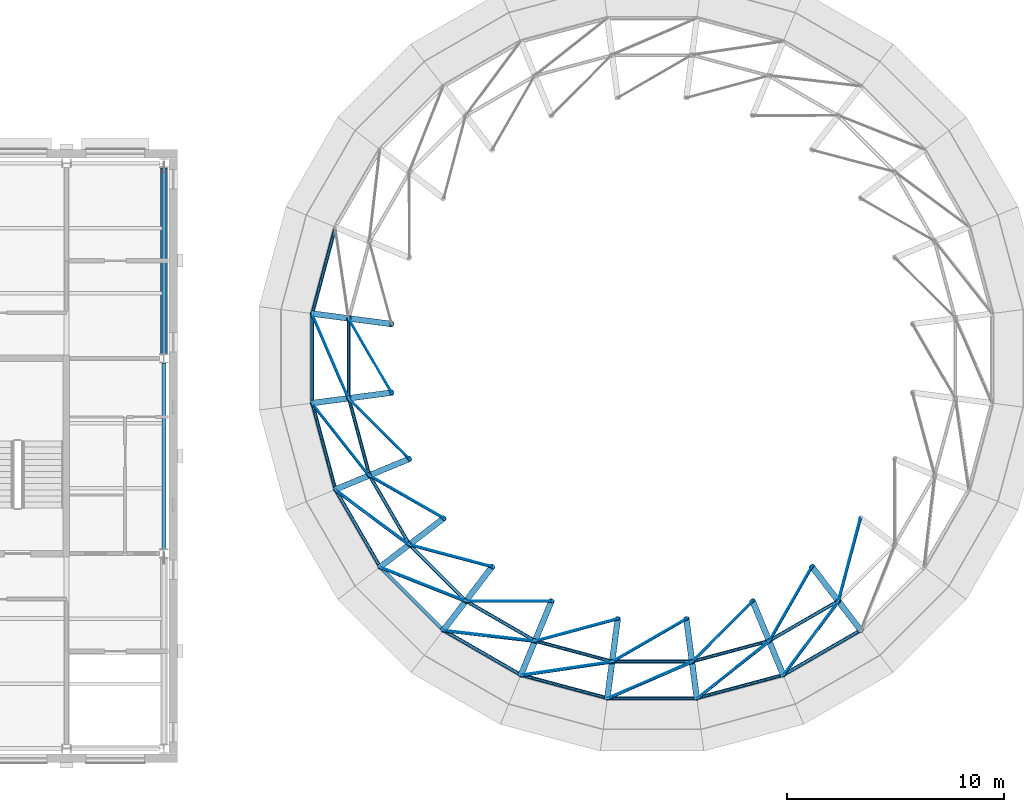
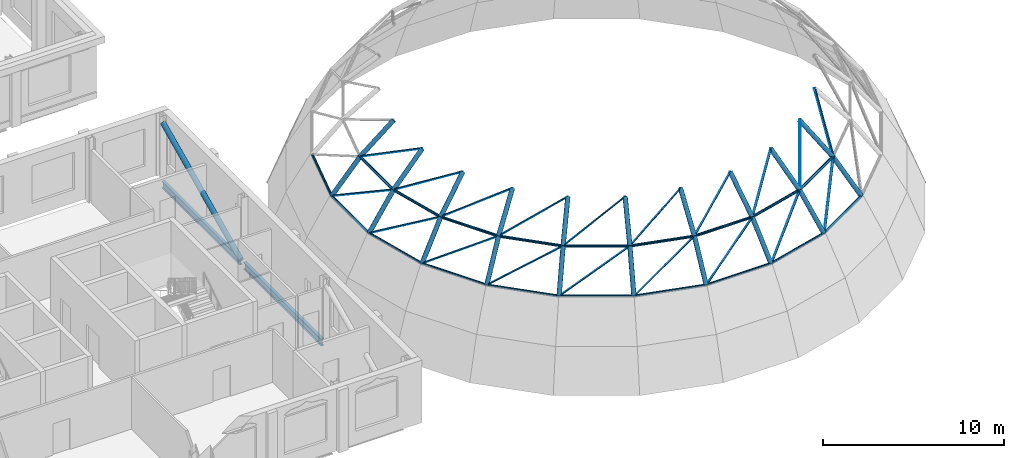
# One storey, part 6 of 62: 58 members, 22 beams.
"""IFC4 building model written with IfcOpenShell, lengths in metres."""

from ifc_helpers import new_model, si_unit, direction, frame, origin, origin_2d, place, context, subcontext, project, spatial, rectangle, circle, hollow_circle, i_section, extrude, material, material_profile, profile_set, type_object, element, save


model = new_model("IFC4")

# Units and contexts
model_context = context("Model", 3, precision=1e-05, world=origin(), true_north=direction((0.0, 1.0)))
body_context = subcontext(model_context, "Body", "Model", "MODEL_VIEW")
ifc_project = project(units=[si_unit("LENGTHUNIT", "METRE"), si_unit("AREAUNIT", "SQUARE_METRE"), si_unit("VOLUMEUNIT", "CUBIC_METRE"), si_unit("PLANEANGLEUNIT", "RADIAN"), si_unit("MASSUNIT", "GRAM", prefix="KILO")], contexts=[model_context])

# Site, building, storey
site_placement = place(None, origin())
site = spatial("IfcSite", under=ifc_project, at=site_placement, CompositionType="ELEMENT")
building_placement = place(site_placement, origin())
building = spatial("IfcBuilding", under=site, at=building_placement, Name="Hortulan Conservatory and Botanical Research Centre", CompositionType="ELEMENT")
storey_placement = place(building_placement, frame((0.0, 0.0, 15.0)))
storey = spatial("IfcBuildingStorey", under=building, at=storey_placement, Name="L03", CompositionType="ELEMENT", Elevation=15.0)

# Members
ifc_material_1 = material(Name="Steel Grade C350L0 (350 MPa, AS/NZS 1163)", Category="steel")
ifc_material_profile_1 = material_profile(ifc_material_1, hollow_circle(Radius=0.161865234375, WallThickness=0.009521484375, at=origin_2d()), Name="323.9x9.5CHS")
ifc_profile_set_1 = profile_set([ifc_material_profile_1], Name="Steel Grade C350L0 (350 MPa, AS/NZS 1163)")
member_type_1 = type_object("IfcMemberType", Name="Brace 323.9x9.5CHS", PredefinedType="BRACE", material=ifc_profile_set_1)
member_1_placement = place(storey_placement, frame((31.5, 18.2109375, -0.261474609375), z_axis=(0.0, 0.906191046553, 0.422868522293), x_axis=(-1.0, 0.0, 0.0)))
element("IfcMember", 1, at=member_1_placement, inside=storey, type_object=member_type_1, Name="323.9x9.5CHS brace", PredefinedType="BRACE", context=body_context, shape_type="SweptSolid", body=[
    extrude(hollow_circle(Radius=0.161865234375, WallThickness=0.009521484375, at=origin_2d()), origin(), (0.0, 0.0, 1.0), 9.466064453125),
])
ifc_material_2 = material(Name="Steel Grade 300PLUS (AS/NZS 3679.1, 280 MPa minimum yield)", Category="steel")
ifc_material_profile_2 = material_profile(ifc_material_2, circle(Radius=0.011962890625, at=origin_2d()), Name="24 dia rod")
ifc_profile_set_2 = profile_set([ifc_material_profile_2], Name="Steel Grade 300PLUS (AS/NZS 3679.1, 280 MPa minimum yield)")
member_type_2 = type_object("IfcMemberType", Name="Dome Diagonal Rod 24 dia rod", PredefinedType="BRACE", material=ifc_profile_set_2)
member_2_placement = place(storey_placement, frame((38.332763671875, 20.0625, 0.515380859375), z_axis=(0.352169327577, -0.815657425656, 0.458998615125), x_axis=(0.91808135187, 0.396392017261, 0.0)))
element("IfcMember", 2, at=member_2_placement, inside=storey, type_object=member_type_2, Name="Dome diagonal rod row 3 panel 12", PredefinedType="BRACE", context=body_context, shape_type="SweptSolid", body=[
    extrude(circle(Radius=0.011962890625, at=origin_2d()), origin(), (0.0, 0.0, 1.0), 4.785400390625),
])
for number, where, z_axis, x_axis, name in (
    (3, (38.332763671875, 15.9375, 0.515380859375), (0.551276813758, -0.696722880391, 0.45898921834), (0.784207644778, 0.620498484987, 0.0), "Dome diagonal rod row 3 panel 13"),
    (4, (39.400390625, 11.95263671875, 0.515380859375), (0.712827671315, -0.530297262099, 0.458978784715), (0.59688099189, 0.802329783518, 0.0), "Dome diagonal rod row 3 panel 14"),
):
    element("IfcMember", number, at=place(storey_placement, frame(where, z_axis=z_axis, x_axis=x_axis)), inside=storey, type_object=member_type_2, Name=name, PredefinedType="BRACE", context=body_context, shape_type="SweptSolid", body=[
        extrude(circle(Radius=0.011962890625, at=origin_2d()), origin(), (0.0, 0.0, 1.0), 4.78564453125),
    ])
member_3_placement = place(storey_placement, frame((41.463134765625, 8.380126953125, 0.515380859375), z_axis=(0.825772927087, -0.327737877401, 0.459006488632), x_axis=(0.368894344286, 0.92947133509, 0.0)))
element("IfcMember", 5, at=member_3_placement, inside=storey, type_object=member_type_2, Name="Dome diagonal rod row 3 panel 15", PredefinedType="BRACE", context=body_context, shape_type="SweptSolid", body=[
    extrude(circle(Radius=0.011962890625, at=origin_2d()), origin(), (0.0, 0.0, 1.0), 4.785400390625),
])
for number, where, z_axis, x_axis, name in (
    (6, (44.380126953125, 5.463134765625, 0.515380859375), (0.882469396453, -0.102847629972, 0.458988158162), (0.115761732848, 0.993277011316, 0.0), "Dome diagonal rod row 3 panel 16"),
    (7, (47.95263671875, 3.400390625, 0.515380859375), (0.879013209529, 0.129071585613, 0.458994883699), (-0.145279077903, 0.989390716312, 0.0), "Dome diagonal rod row 3 panel 17"),
):
    element("IfcMember", number, at=place(storey_placement, frame(where, z_axis=z_axis, x_axis=x_axis)), inside=storey, type_object=member_type_2, Name=name, PredefinedType="BRACE", context=body_context, shape_type="SweptSolid", body=[
        extrude(circle(Radius=0.011962890625, at=origin_2d()), origin(), (0.0, 0.0, 1.0), 4.78564453125),
    ])
member_4_placement = place(storey_placement, frame((51.9375, 2.332763671875, 0.515380859375), z_axis=(0.815657425656, 0.352169327577, 0.458998615125), x_axis=(-0.396392017261, 0.91808135187, 0.0)))
element("IfcMember", 8, at=member_4_placement, inside=storey, type_object=member_type_2, Name="Dome diagonal rod row 3 panel 18", PredefinedType="BRACE", context=body_context, shape_type="SweptSolid", body=[
    extrude(circle(Radius=0.011962890625, at=origin_2d()), origin(), (0.0, 0.0, 1.0), 4.785400390625),
])
for number, where, z_axis, x_axis, name in (
    (9, (56.0625, 2.332763671875, 0.515380859375), (0.696722880391, 0.551276813758, 0.45898921834), (-0.620498484987, 0.784207644778, 0.0), "Dome diagonal rod row 3 panel 19"),
    (10, (60.04736328125, 3.400390625, 0.515380859375), (0.530297262099, 0.712827671315, 0.458978784715), (-0.802329783518, 0.59688099189, 0.0), "Dome diagonal rod row 3 panel 20"),
):
    element("IfcMember", number, at=place(storey_placement, frame(where, z_axis=z_axis, x_axis=x_axis)), inside=storey, type_object=member_type_2, Name=name, PredefinedType="BRACE", context=body_context, shape_type="SweptSolid", body=[
        extrude(circle(Radius=0.011962890625, at=origin_2d()), origin(), (0.0, 0.0, 1.0), 4.78564453125),
    ])
for number, where, z_axis, x_axis, name in (
    (11, (40.01806640625, 19.8408203125, 2.7119140625), (0.451413454408, -0.777650157748, 0.437591276574), (0.864849474526, 0.502031260393, 0.0), "Dome diagonal rod row 4 panel 12"),
    (12, (40.01806640625, 16.1591796875, 2.7119140625), (0.637310933785, -0.634313390851, 0.437585758299), (0.705437990181, 0.708771643062, 0.0), "Dome diagonal rod row 4 panel 13"),
):
    element("IfcMember", number, at=place(storey_placement, frame(where, z_axis=z_axis, x_axis=x_axis)), inside=storey, type_object=member_type_2, Name=name, PredefinedType="BRACE", context=body_context, shape_type="SweptSolid", body=[
        extrude(circle(Radius=0.011962890625, at=origin_2d()), origin(), (0.0, 0.0, 1.0), 4.398193359375),
    ])
for number, where, z_axis, x_axis, name in (
    (13, (40.970947265625, 12.603271484375, 2.7119140625), (0.779763098532, -0.447751772817, 0.437593258755), (0.49795952205, 0.867200273524, 0.0), "Dome diagonal rod row 4 panel 14"),
    (14, (42.811767578125, 9.414794921875, 2.7119140625), (0.869085936179, -0.230649723098, 0.437596093185), (0.256513561855, 0.966540631626, 0.0), "Dome diagonal rod row 4 panel 15"),
    (15, (45.414794921875, 6.811767578125, 2.7119140625), (0.899169927801, 0.002109424451, 0.437594551232), (-0.002345962183, 0.999997248227, 0.0), "Dome diagonal rod row 4 panel 16"),
    (16, (48.603271484375, 4.970947265625, 2.7119140625), (0.867982962687, 0.234759526043, 0.437599750247), (-0.261084733121, 0.965315887226, 0.0), "Dome diagonal rod row 4 panel 17"),
):
    element("IfcMember", number, at=place(storey_placement, frame(where, z_axis=z_axis, x_axis=x_axis)), inside=storey, type_object=member_type_2, Name=name, PredefinedType="BRACE", context=body_context, shape_type="SweptSolid", body=[
        extrude(circle(Radius=0.011962890625, at=origin_2d()), origin(), (0.0, 0.0, 1.0), 4.39794921875),
    ])
for number, where, z_axis, x_axis, name in (
    (17, (52.1591796875, 4.01806640625, 2.7119140625), (0.777650157748, 0.451413454408, 0.437591276574), (-0.502031260393, 0.864849474526, 0.0), "Dome diagonal rod row 4 panel 18"),
    (18, (55.8408203125, 4.01806640625, 2.7119140625), (0.634313390851, 0.637310933785, 0.437585758299), (-0.708771643062, 0.705437990181, 0.0), "Dome diagonal rod row 4 panel 19"),
):
    element("IfcMember", number, at=place(storey_placement, frame(where, z_axis=z_axis, x_axis=x_axis)), inside=storey, type_object=member_type_2, Name=name, PredefinedType="BRACE", context=body_context, shape_type="SweptSolid", body=[
        extrude(circle(Radius=0.011962890625, at=origin_2d()), origin(), (0.0, 0.0, 1.0), 4.398193359375),
    ])
for number, where, z_axis, x_axis, name in (
    (19, (59.396728515625, 4.970947265625, 2.7119140625), (0.447751772817, 0.779763098532, 0.437593258755), (-0.867200273524, 0.49795952205, 0.0), "Dome diagonal rod row 4 panel 20"),
    (20, (62.585205078125, 6.811767578125, 2.7119140625), (0.230649723098, 0.869085936179, 0.437596093185), (-0.966540631626, 0.256513561855, 0.0), "Dome diagonal rod row 4 panel 21"),
):
    element("IfcMember", number, at=place(storey_placement, frame(where, z_axis=z_axis, x_axis=x_axis)), inside=storey, type_object=member_type_2, Name=name, PredefinedType="BRACE", context=body_context, shape_type="SweptSolid", body=[
        extrude(circle(Radius=0.011962890625, at=origin_2d()), origin(), (0.0, 0.0, 1.0), 4.39794921875),
    ])
ifc_material_3 = material(Name="Bronze-finished aluminium", Category="aluminium")
ifc_material_profile_3 = material_profile(ifc_material_3, rectangle(XDim=0.050048828125, YDim=0.050048828125, at=origin_2d()), Name="Square bar 50x50")
ifc_profile_set_3 = profile_set([ifc_material_profile_3], Name="Bronze-finished aluminium")
member_type_3 = type_object("IfcMemberType", Name="Dome Glazing Bar 50x50", PredefinedType="MEMBER", material=ifc_profile_set_3)
member_5_placement = place(storey_placement, frame((38.26953125, 20.07080078125, 0.5576171875), z_axis=(0.352185798662, -0.815652350329, 0.458994996295), x_axis=(0.918073707247, 0.39640972246, 0.0)))
element("IfcMember", 21, at=member_5_placement, inside=storey, type_object=member_type_3, Name="Dome glazing bar row 3 panel 12", PredefinedType="MEMBER", context=body_context, shape_type="SweptSolid", body=[
    extrude(rectangle(XDim=0.050048828125, YDim=0.050048828125, at=origin_2d()), origin(), (0.0, 0.0, 1.0), 4.8046875),
])
member_6_placement = place(storey_placement, frame((38.26953125, 15.92919921875, 0.5576171875), z_axis=(0.551277329831, -0.696743412348, 0.458957430448), x_axis=(0.784216259694, 0.620487597001, 0.0)))
element("IfcMember", 22, at=member_6_placement, inside=storey, type_object=member_type_3, Name="Dome glazing bar row 3 panel 13", PredefinedType="MEMBER", context=body_context, shape_type="SweptSolid", body=[
    extrude(rectangle(XDim=0.050048828125, YDim=0.050048828125, at=origin_2d()), origin(), (0.0, 0.0, 1.0), 4.80517578125),
])
member_7_placement = place(storey_placement, frame((39.341552734375, 11.92822265625, 0.5576171875), z_axis=(0.712822104019, -0.530310378476, 0.458972276399), x_axis=(0.596893496281, 0.802320480916, 0.0)))
element("IfcMember", 23, at=member_7_placement, inside=storey, type_object=member_type_3, Name="Dome glazing bar row 3 panel 14", PredefinedType="MEMBER", context=body_context, shape_type="SweptSolid", body=[
    extrude(rectangle(XDim=0.050048828125, YDim=0.050048828125, at=origin_2d()), origin(), (0.0, 0.0, 1.0), 4.804931640625),
])
for number, where, z_axis, x_axis, name in (
    (24, (41.41259765625, 8.34130859375, 0.5576171875), (0.825772653205, -0.327748053238, 0.458999715488), (0.368904344965, 0.929467365896, 0.0), "Dome glazing bar row 3 panel 15"),
    (25, (44.34130859375, 5.41259765625, 0.5576171875), (0.882467286107, -0.102845269021, 0.458992744596), (0.115759384172, 0.99327728504, 0.0), "Dome glazing bar row 3 panel 16"),
):
    element("IfcMember", number, at=place(storey_placement, frame(where, z_axis=z_axis, x_axis=x_axis)), inside=storey, type_object=member_type_3, Name=name, PredefinedType="MEMBER", context=body_context, shape_type="SweptSolid", body=[
        extrude(rectangle(XDim=0.050048828125, YDim=0.050048828125, at=origin_2d()), origin(), (0.0, 0.0, 1.0), 4.8046875),
    ])
member_8_placement = place(storey_placement, frame((47.92822265625, 3.341552734375, 0.5576171875), z_axis=(0.879026130151, 0.129059327779, 0.45897358576), x_axis=(-0.145263481844, 0.989393006263, 0.0)))
element("IfcMember", 26, at=member_8_placement, inside=storey, type_object=member_type_3, Name="Dome glazing bar row 3 panel 17", PredefinedType="MEMBER", context=body_context, shape_type="SweptSolid", body=[
    extrude(rectangle(XDim=0.050048828125, YDim=0.050048828125, at=origin_2d()), origin(), (0.0, 0.0, 1.0), 4.804931640625),
])
member_9_placement = place(storey_placement, frame((51.92919921875, 2.26953125, 0.5576171875), z_axis=(0.815652350329, 0.352185798662, 0.458994996295), x_axis=(-0.39640972246, 0.918073707247, 0.0)))
element("IfcMember", 27, at=member_9_placement, inside=storey, type_object=member_type_3, Name="Dome glazing bar row 3 panel 18", PredefinedType="MEMBER", context=body_context, shape_type="SweptSolid", body=[
    extrude(rectangle(XDim=0.050048828125, YDim=0.050048828125, at=origin_2d()), origin(), (0.0, 0.0, 1.0), 4.8046875),
])
member_10_placement = place(storey_placement, frame((56.07080078125, 2.26953125, 0.5576171875), z_axis=(0.696743412348, 0.551277329831, 0.458957430448), x_axis=(-0.620487597001, 0.784216259694, 0.0)))
element("IfcMember", 28, at=member_10_placement, inside=storey, type_object=member_type_3, Name="Dome glazing bar row 3 panel 19", PredefinedType="MEMBER", context=body_context, shape_type="SweptSolid", body=[
    extrude(rectangle(XDim=0.050048828125, YDim=0.050048828125, at=origin_2d()), origin(), (0.0, 0.0, 1.0), 4.80517578125),
])
member_11_placement = place(storey_placement, frame((60.07177734375, 3.341552734375, 0.5576171875), z_axis=(0.530310378476, 0.712822104019, 0.458972276399), x_axis=(-0.802320480916, 0.596893496281, 0.0)))
element("IfcMember", 29, at=member_11_placement, inside=storey, type_object=member_type_3, Name="Dome glazing bar row 3 panel 20", PredefinedType="MEMBER", context=body_context, shape_type="SweptSolid", body=[
    extrude(rectangle(XDim=0.050048828125, YDim=0.050048828125, at=origin_2d()), origin(), (0.0, 0.0, 1.0), 4.804931640625),
])
for number, where, z_axis, x_axis, name in (
    (30, (39.964111328125, 19.847900390625, 2.7607421875), (0.451391510808, -0.777645328494, 0.437622493757), (0.864858716753, 0.502015338467, 0.0), "Dome glazing bar row 4 panel 12"),
    (31, (39.964111328125, 16.152099609375, 2.7607421875), (0.637294139338, -0.634308119075, 0.437617858457), (0.705444383685, 0.708765279572, 0.0), "Dome glazing bar row 4 panel 13"),
    (32, (40.920654296875, 12.582275390625, 2.7607421875), (0.779750114906, -0.447743896205, 0.437624452831), (0.497959169754, 0.867200475818, 0.0), "Dome glazing bar row 4 panel 14"),
    (33, (42.7685546875, 9.381591796875, 2.7607421875), (0.869068491127, -0.230649317669, 0.437630951818), (0.256517950879, 0.966539466797, 0.0), "Dome glazing bar row 4 panel 15"),
):
    element("IfcMember", number, at=place(storey_placement, frame(where, z_axis=z_axis, x_axis=x_axis)), inside=storey, type_object=member_type_3, Name=name, PredefinedType="MEMBER", context=body_context, shape_type="SweptSolid", body=[
        extrude(rectangle(XDim=0.050048828125, YDim=0.050048828125, at=origin_2d()), origin(), (0.0, 0.0, 1.0), 4.4150390625),
    ])
member_12_placement = place(storey_placement, frame((45.381591796875, 6.7685546875, 2.7607421875), z_axis=(0.89916254341, 0.00210123465, 0.437609763763), x_axis=(-0.00233687327, 0.999997269508, 0.0)))
element("IfcMember", 34, at=member_12_placement, inside=storey, type_object=member_type_3, Name="Dome glazing bar row 4 panel 16", PredefinedType="MEMBER", context=body_context, shape_type="SweptSolid", body=[
    extrude(rectangle(XDim=0.050048828125, YDim=0.050048828125, at=origin_2d()), origin(), (0.0, 0.0, 1.0), 4.415283203125),
])
for number, where, z_axis, x_axis, name in (
    (35, (48.582275390625, 4.920654296875, 2.7607421875), (0.867983402485, 0.234732085338, 0.437613597965), (-0.261056171955, 0.965323611585, 0.0), "Dome glazing bar row 4 panel 17"),
    (36, (52.152099609375, 3.964111328125, 2.7607421875), (0.777645328494, 0.451391510808, 0.437622493757), (-0.502015338467, 0.864858716753, 0.0), "Dome glazing bar row 4 panel 18"),
    (37, (55.847900390625, 3.964111328125, 2.7607421875), (0.634308119075, 0.637294139338, 0.437617858457), (-0.708765279572, 0.705444383685, 0.0), "Dome glazing bar row 4 panel 19"),
    (38, (59.417724609375, 4.920654296875, 2.7607421875), (0.447743896205, 0.779750114906, 0.437624452831), (-0.867200475818, 0.497959169754, 0.0), "Dome glazing bar row 4 panel 20"),
    (39, (62.618408203125, 6.7685546875, 2.7607421875), (0.230649317669, 0.869068491127, 0.437630951818), (-0.966539466797, 0.256517950879, 0.0), "Dome glazing bar row 4 panel 21"),
):
    element("IfcMember", number, at=place(storey_placement, frame(where, z_axis=z_axis, x_axis=x_axis)), inside=storey, type_object=member_type_3, Name=name, PredefinedType="MEMBER", context=body_context, shape_type="SweptSolid", body=[
        extrude(rectangle(XDim=0.050048828125, YDim=0.050048828125, at=origin_2d()), origin(), (0.0, 0.0, 1.0), 4.4150390625),
    ])

# Beams
ifc_material_profile_4 = material_profile(ifc_material_1, hollow_circle(Radius=0.136474609375, WallThickness=0.00927734375, at=origin_2d()), Name="273.1x9.3CHS")
ifc_profile_set_4 = profile_set([ifc_material_profile_4], Name="Steel Grade C350L0 (350 MPa, AS/NZS 1163)")
beam_type_1 = type_object("IfcBeamType", Name="Dome Rib 273.1x9.3 CHS", PredefinedType="BEAM", material=ifc_profile_set_4)
for number, where, z_axis, x_axis, name in (
    (40, (38.332763671875, 20.0625, 0.515380859375), (0.606783856644, -0.079814535975, 0.790849537626), (0.130413643681, 0.991459672171, 0.0), "Dome rib 12 segment 3"),
    (41, (40.01806640625, 19.8408203125, 2.7119140625), (0.714825060268, -0.09414383172, 0.692937278664), (0.130574354934, 0.991438519442, 0.0), "Dome rib 12 segment 4"),
    (42, (38.332763671875, 15.9375, 0.515380859375), (0.606783856644, 0.079814535975, 0.790849537626), (-0.130413643681, 0.991459672171, 0.0), "Dome rib 13 segment 3"),
    (43, (40.01806640625, 16.1591796875, 2.7119140625), (0.714825060268, 0.09414383172, 0.692937278664), (-0.130574354934, 0.991438519442, 0.0), "Dome rib 13 segment 4"),
):
    element("IfcBeam", number, at=place(storey_placement, frame(where, z_axis=z_axis, x_axis=x_axis)), inside=storey, type_object=beam_type_1, Name=name, PredefinedType="BEAM", context=body_context, shape_type="SweptSolid", body=[
        extrude(hollow_circle(Radius=0.136474609375, WallThickness=0.00927734375, at=origin_2d()), origin(), (0.0, 0.0, 1.0), 2.77734375),
    ])
beam_1_placement = place(storey_placement, frame((39.400390625, 11.95263671875, 0.515380859375), z_axis=(0.56544866769, 0.234248515373, 0.790819471974), x_axis=(-0.382728070254, 0.923861041629, 0.0)))
element("IfcBeam", 44, at=beam_1_placement, inside=storey, type_object=beam_type_1, Name="Dome rib 14 segment 3", PredefinedType="BEAM", context=body_context, shape_type="SweptSolid", body=[
    extrude(hollow_circle(Radius=0.136474609375, WallThickness=0.00927734375, at=origin_2d()), origin(), (0.0, 0.0, 1.0), 2.777587890625),
])
for number, where, z_axis, x_axis, name in (
    (45, (40.970947265625, 12.603271484375, 2.7119140625), (0.666135531853, 0.275842346128, 0.692946212404), (-0.382588690977, 0.923918769988, 0.0), "Dome rib 14 segment 4"),
    (46, (41.463134765625, 8.380126953125, 0.515380859375), (0.485568952644, 0.372527375327, 0.790851532755), (-0.608696855195, 0.793402885346, 0.0), "Dome rib 15 segment 3"),
    (47, (42.811767578125, 9.414794921875, 2.7119140625), (0.571972902926, 0.438978435102, 0.692924910675), (-0.608838412356, 0.793294262956, 0.0), "Dome rib 15 segment 4"),
    (48, (44.380126953125, 5.463134765625, 0.515380859375), (0.372527375327, 0.485568952644, 0.790851532755), (-0.793402885346, 0.608696855195, 0.0), "Dome rib 16 segment 3"),
    (49, (45.414794921875, 6.811767578125, 2.7119140625), (0.438978435102, 0.571972902926, 0.692924910675), (-0.793294262956, 0.608838412356, 0.0), "Dome rib 16 segment 4"),
):
    element("IfcBeam", number, at=place(storey_placement, frame(where, z_axis=z_axis, x_axis=x_axis)), inside=storey, type_object=beam_type_1, Name=name, PredefinedType="BEAM", context=body_context, shape_type="SweptSolid", body=[
        extrude(hollow_circle(Radius=0.136474609375, WallThickness=0.00927734375, at=origin_2d()), origin(), (0.0, 0.0, 1.0), 2.77734375),
    ])
beam_2_placement = place(storey_placement, frame((47.95263671875, 3.400390625, 0.515380859375), z_axis=(0.234248515373, 0.56544866769, 0.790819471974), x_axis=(-0.923861041629, 0.382728070254, 0.0)))
element("IfcBeam", 50, at=beam_2_placement, inside=storey, type_object=beam_type_1, Name="Dome rib 17 segment 3", PredefinedType="BEAM", context=body_context, shape_type="SweptSolid", body=[
    extrude(hollow_circle(Radius=0.136474609375, WallThickness=0.00927734375, at=origin_2d()), origin(), (0.0, 0.0, 1.0), 2.777587890625),
])
for number, where, z_axis, x_axis, name in (
    (51, (48.603271484375, 4.970947265625, 2.7119140625), (0.275842346128, 0.666135531853, 0.692946212404), (-0.923918769988, 0.382588690977, 0.0), "Dome rib 17 segment 4"),
    (52, (51.9375, 2.332763671875, 0.515380859375), (0.079814535975, 0.606783856644, 0.790849537626), (-0.991459672171, 0.130413643681, 0.0), "Dome rib 18 segment 3"),
    (53, (52.1591796875, 4.01806640625, 2.7119140625), (0.09414383172, 0.714825060268, 0.692937278664), (-0.991438519442, 0.130574354934, 0.0), "Dome rib 18 segment 4"),
    (54, (56.0625, 2.332763671875, 0.515380859375), (-0.079814535975, 0.606783856644, 0.790849537626), (-0.991459672171, -0.130413643681, 0.0), "Dome rib 19 segment 3"),
    (55, (55.8408203125, 4.01806640625, 2.7119140625), (-0.09414383172, 0.714825060268, 0.692937278664), (-0.991438519442, -0.130574354934, 0.0), "Dome rib 19 segment 4"),
):
    element("IfcBeam", number, at=place(storey_placement, frame(where, z_axis=z_axis, x_axis=x_axis)), inside=storey, type_object=beam_type_1, Name=name, PredefinedType="BEAM", context=body_context, shape_type="SweptSolid", body=[
        extrude(hollow_circle(Radius=0.136474609375, WallThickness=0.00927734375, at=origin_2d()), origin(), (0.0, 0.0, 1.0), 2.77734375),
    ])
beam_3_placement = place(storey_placement, frame((60.04736328125, 3.400390625, 0.515380859375), z_axis=(-0.234248515373, 0.56544866769, 0.790819471974), x_axis=(-0.923861041629, -0.382728070254, 0.0)))
element("IfcBeam", 56, at=beam_3_placement, inside=storey, type_object=beam_type_1, Name="Dome rib 20 segment 3", PredefinedType="BEAM", context=body_context, shape_type="SweptSolid", body=[
    extrude(hollow_circle(Radius=0.136474609375, WallThickness=0.00927734375, at=origin_2d()), origin(), (0.0, 0.0, 1.0), 2.777587890625),
])
for number, where, z_axis, x_axis, name in (
    (57, (59.396728515625, 4.970947265625, 2.7119140625), (-0.275842346128, 0.666135531853, 0.692946212404), (-0.923918769988, -0.382588690977, 0.0), "Dome rib 20 segment 4"),
    (58, (63.619873046875, 5.463134765625, 0.515380859375), (-0.372527375327, 0.485568952644, 0.790851532755), (-0.793402885346, -0.608696855195, 0.0), "Dome rib 21 segment 3"),
    (59, (62.585205078125, 6.811767578125, 2.7119140625), (-0.438978435102, 0.571972902926, 0.692924910675), (-0.793294262956, -0.608838412356, 0.0), "Dome rib 21 segment 4"),
):
    element("IfcBeam", number, at=place(storey_placement, frame(where, z_axis=z_axis, x_axis=x_axis)), inside=storey, type_object=beam_type_1, Name=name, PredefinedType="BEAM", context=body_context, shape_type="SweptSolid", body=[
        extrude(hollow_circle(Radius=0.136474609375, WallThickness=0.00927734375, at=origin_2d()), origin(), (0.0, 0.0, 1.0), 2.77734375),
    ])

# Members
ifc_material_profile_5 = material_profile(ifc_material_1, hollow_circle(Radius=0.084228515625, WallThickness=0.00634765625, at=origin_2d()), Name="168.3x6.4CHS")
ifc_profile_set_5 = profile_set([ifc_material_profile_5], Name="Steel Grade C350L0 (350 MPa, AS/NZS 1163)")
member_type_4 = type_object("IfcMemberType", Name="Dome Ring 168.3x6.4 CHS", PredefinedType="PURLIN", material=ifc_profile_set_5)
member_13_placement = place(storey_placement, frame((39.400390625, 24.04736328125, 0.515380859375), z_axis=(-0.258793274892, -0.965932731028, 0.0), x_axis=(0.965932731028, -0.258793274892, 0.0)))
element("IfcMember", 60, at=member_13_placement, inside=storey, type_object=member_type_4, Name="Dome ring 2 chord 11", PredefinedType="PURLIN", context=body_context, shape_type="SweptSolid", body=[
    extrude(hollow_circle(Radius=0.084228515625, WallThickness=0.00634765625, at=origin_2d()), origin(), (0.0, 0.0, 1.0), 4.12548828125),
])
member_14_placement = place(storey_placement, frame((38.332763671875, 20.0625, 0.515380859375), z_axis=(0.0, -1.0, 0.0), x_axis=(1.0, 0.0, 0.0)))
element("IfcMember", 61, at=member_14_placement, inside=storey, type_object=member_type_4, Name="Dome ring 2 chord 12", PredefinedType="PURLIN", context=body_context, shape_type="SweptSolid", body=[
    extrude(hollow_circle(Radius=0.084228515625, WallThickness=0.00634765625, at=origin_2d()), origin(), (0.0, 0.0, 1.0), 4.125),
])
member_15_placement = place(storey_placement, frame((38.332763671875, 15.9375, 0.515380859375), z_axis=(0.258793274892, -0.965932731028, 0.0), x_axis=(0.965932731028, 0.258793274892, 0.0)))
element("IfcMember", 62, at=member_15_placement, inside=storey, type_object=member_type_4, Name="Dome ring 2 chord 13", PredefinedType="PURLIN", context=body_context, shape_type="SweptSolid", body=[
    extrude(hollow_circle(Radius=0.084228515625, WallThickness=0.00634765625, at=origin_2d()), origin(), (0.0, 0.0, 1.0), 4.12548828125),
])
for number, where, z_axis, x_axis, name in (
    (63, (39.400390625, 11.95263671875, 0.515380859375), (0.500028119036, -0.866009168642, 0.0), (0.866009168642, 0.500028119036, 0.0), "Dome ring 2 chord 14"),
    (64, (41.463134765625, 8.380126953125, 0.515380859375), (0.707106781187, -0.707106781187, 0.0), (0.707106781187, 0.707106781187, 0.0), "Dome ring 2 chord 15"),
    (65, (44.380126953125, 5.463134765625, 0.515380859375), (0.866009168642, -0.500028119036, 0.0), (0.500028119036, 0.866009168642, 0.0), "Dome ring 2 chord 16"),
):
    element("IfcMember", number, at=place(storey_placement, frame(where, z_axis=z_axis, x_axis=x_axis)), inside=storey, type_object=member_type_4, Name=name, PredefinedType="PURLIN", context=body_context, shape_type="SweptSolid", body=[
        extrude(hollow_circle(Radius=0.084228515625, WallThickness=0.00634765625, at=origin_2d()), origin(), (0.0, 0.0, 1.0), 4.125244140625),
    ])
member_16_placement = place(storey_placement, frame((47.95263671875, 3.400390625, 0.515380859375), z_axis=(0.965932731028, -0.258793274892, 0.0), x_axis=(0.258793274892, 0.965932731028, 0.0)))
element("IfcMember", 66, at=member_16_placement, inside=storey, type_object=member_type_4, Name="Dome ring 2 chord 17", PredefinedType="PURLIN", context=body_context, shape_type="SweptSolid", body=[
    extrude(hollow_circle(Radius=0.084228515625, WallThickness=0.00634765625, at=origin_2d()), origin(), (0.0, 0.0, 1.0), 4.12548828125),
])
member_17_placement = place(storey_placement, frame((51.9375, 2.332763671875, 0.515380859375), z_axis=(1.0, 0.0, 0.0), x_axis=(0.0, 1.0, 0.0)))
element("IfcMember", 67, at=member_17_placement, inside=storey, type_object=member_type_4, Name="Dome ring 2 chord 18", PredefinedType="PURLIN", context=body_context, shape_type="SweptSolid", body=[
    extrude(hollow_circle(Radius=0.084228515625, WallThickness=0.00634765625, at=origin_2d()), origin(), (0.0, 0.0, 1.0), 4.125),
])
member_18_placement = place(storey_placement, frame((56.0625, 2.332763671875, 0.515380859375), z_axis=(0.965932731028, 0.258793274892, 0.0), x_axis=(-0.258793274892, 0.965932731028, 0.0)))
element("IfcMember", 68, at=member_18_placement, inside=storey, type_object=member_type_4, Name="Dome ring 2 chord 19", PredefinedType="PURLIN", context=body_context, shape_type="SweptSolid", body=[
    extrude(hollow_circle(Radius=0.084228515625, WallThickness=0.00634765625, at=origin_2d()), origin(), (0.0, 0.0, 1.0), 4.12548828125),
])
member_19_placement = place(storey_placement, frame((60.04736328125, 3.400390625, 0.515380859375), z_axis=(0.866009168642, 0.500028119036, 0.0), x_axis=(-0.500028119036, 0.866009168642, 0.0)))
element("IfcMember", 69, at=member_19_placement, inside=storey, type_object=member_type_4, Name="Dome ring 2 chord 20", PredefinedType="PURLIN", context=body_context, shape_type="SweptSolid", body=[
    extrude(hollow_circle(Radius=0.084228515625, WallThickness=0.00634765625, at=origin_2d()), origin(), (0.0, 0.0, 1.0), 4.125244140625),
])
member_20_placement = place(storey_placement, frame((40.01806640625, 19.8408203125, 2.7119140625), z_axis=(0.0, -1.0, 0.0), x_axis=(1.0, 0.0, 0.0)))
element("IfcMember", 70, at=member_20_placement, inside=storey, type_object=member_type_4, Name="Dome ring 3 chord 12", PredefinedType="PURLIN", context=body_context, shape_type="SweptSolid", body=[
    extrude(hollow_circle(Radius=0.084228515625, WallThickness=0.00634765625, at=origin_2d()), origin(), (0.0, 0.0, 1.0), 3.681640625),
])
member_21_placement = place(storey_placement, frame((40.01806640625, 16.1591796875, 2.7119140625), z_axis=(0.258838845954, -0.965920520449, 0.0), x_axis=(0.965920520449, 0.258838845954, 0.0)))
element("IfcMember", 71, at=member_21_placement, inside=storey, type_object=member_type_4, Name="Dome ring 3 chord 13", PredefinedType="PURLIN", context=body_context, shape_type="SweptSolid", body=[
    extrude(hollow_circle(Radius=0.084228515625, WallThickness=0.00634765625, at=origin_2d()), origin(), (0.0, 0.0, 1.0), 3.681396484375),
])
member_22_placement = place(storey_placement, frame((40.970947265625, 12.603271484375, 2.7119140625), z_axis=(0.499990325971, -0.866030989016, 0.0), x_axis=(0.866030989016, 0.499990325971, 0.0)))
element("IfcMember", 72, at=member_22_placement, inside=storey, type_object=member_type_4, Name="Dome ring 3 chord 14", PredefinedType="PURLIN", context=body_context, shape_type="SweptSolid", body=[
    extrude(hollow_circle(Radius=0.084228515625, WallThickness=0.00634765625, at=origin_2d()), origin(), (0.0, 0.0, 1.0), 3.681640625),
])
member_23_placement = place(storey_placement, frame((42.811767578125, 9.414794921875, 2.7119140625), z_axis=(0.707106781187, -0.707106781187, 0.0), x_axis=(0.707106781187, 0.707106781187, 0.0)))
element("IfcMember", 73, at=member_23_placement, inside=storey, type_object=member_type_4, Name="Dome ring 3 chord 15", PredefinedType="PURLIN", context=body_context, shape_type="SweptSolid", body=[
    extrude(hollow_circle(Radius=0.084228515625, WallThickness=0.00634765625, at=origin_2d()), origin(), (0.0, 0.0, 1.0), 3.68115234375),
])
member_24_placement = place(storey_placement, frame((45.414794921875, 6.811767578125, 2.7119140625), z_axis=(0.866030989016, -0.499990325971, 0.0), x_axis=(0.499990325971, 0.866030989016, 0.0)))
element("IfcMember", 74, at=member_24_placement, inside=storey, type_object=member_type_4, Name="Dome ring 3 chord 16", PredefinedType="PURLIN", context=body_context, shape_type="SweptSolid", body=[
    extrude(hollow_circle(Radius=0.084228515625, WallThickness=0.00634765625, at=origin_2d()), origin(), (0.0, 0.0, 1.0), 3.681640625),
])
member_25_placement = place(storey_placement, frame((48.603271484375, 4.970947265625, 2.7119140625), z_axis=(0.965920520449, -0.258838845954, 0.0), x_axis=(0.258838845954, 0.965920520449, 0.0)))
element("IfcMember", 75, at=member_25_placement, inside=storey, type_object=member_type_4, Name="Dome ring 3 chord 17", PredefinedType="PURLIN", context=body_context, shape_type="SweptSolid", body=[
    extrude(hollow_circle(Radius=0.084228515625, WallThickness=0.00634765625, at=origin_2d()), origin(), (0.0, 0.0, 1.0), 3.681396484375),
])
member_26_placement = place(storey_placement, frame((52.1591796875, 4.01806640625, 2.7119140625), z_axis=(1.0, 0.0, 0.0), x_axis=(0.0, 1.0, 0.0)))
element("IfcMember", 76, at=member_26_placement, inside=storey, type_object=member_type_4, Name="Dome ring 3 chord 18", PredefinedType="PURLIN", context=body_context, shape_type="SweptSolid", body=[
    extrude(hollow_circle(Radius=0.084228515625, WallThickness=0.00634765625, at=origin_2d()), origin(), (0.0, 0.0, 1.0), 3.681640625),
])
member_27_placement = place(storey_placement, frame((55.8408203125, 4.01806640625, 2.7119140625), z_axis=(0.965920520449, 0.258838845954, 0.0), x_axis=(-0.258838845954, 0.965920520449, 0.0)))
element("IfcMember", 77, at=member_27_placement, inside=storey, type_object=member_type_4, Name="Dome ring 3 chord 19", PredefinedType="PURLIN", context=body_context, shape_type="SweptSolid", body=[
    extrude(hollow_circle(Radius=0.084228515625, WallThickness=0.00634765625, at=origin_2d()), origin(), (0.0, 0.0, 1.0), 3.681396484375),
])
member_28_placement = place(storey_placement, frame((59.396728515625, 4.970947265625, 2.7119140625), z_axis=(0.866030989016, 0.499990325971, 0.0), x_axis=(-0.499990325971, 0.866030989016, 0.0)))
element("IfcMember", 78, at=member_28_placement, inside=storey, type_object=member_type_4, Name="Dome ring 3 chord 20", PredefinedType="PURLIN", context=body_context, shape_type="SweptSolid", body=[
    extrude(hollow_circle(Radius=0.084228515625, WallThickness=0.00634765625, at=origin_2d()), origin(), (0.0, 0.0, 1.0), 3.681640625),
])

# Beams
ifc_material_profile_6 = material_profile(ifc_material_2, i_section(OverallWidth=0.19091796875, OverallDepth=0.4599609375, WebThickness=0.010009765625, FlangeThickness=0.01611328125, FilletRadius=0.011474609375, at=origin_2d()), Name="460UB82.1")
ifc_profile_set_6 = profile_set([ifc_material_profile_6], Name="Steel Grade 300PLUS (AS/NZS 3679.1, 280 MPa minimum yield)")
beam_type_2 = type_object("IfcBeamType", Name="Primary Beam 460UB82.1", PredefinedType="BEAM", material=ifc_profile_set_6)
for number, where, z_axis, x_axis, name in (
    (79, (31.5, 9.2109375, -0.360107421875), (0.0, 1.0, 0.0), (-1.0, 0.0, 0.0), "460UB82.1 girder"),
    (80, (31.5, 18.2109375, -0.360107421875), (0.0, 1.0, 0.0), (-1.0, 0.0, 0.0), "460UB82.1 girder"),
):
    element("IfcBeam", number, at=place(storey_placement, frame(where, z_axis=z_axis, x_axis=x_axis)), inside=storey, type_object=beam_type_2, Name=name, PredefinedType="BEAM", context=body_context, shape_type="SweptSolid", body=[
        extrude(i_section(OverallWidth=0.19091796875, OverallDepth=0.4599609375, WebThickness=0.010009765625, FlangeThickness=0.01611328125, FilletRadius=0.011474609375, at=origin_2d()), origin(), (0.0, 0.0, 1.0), 8.578125),
    ])

save(model, "model.ifc")
